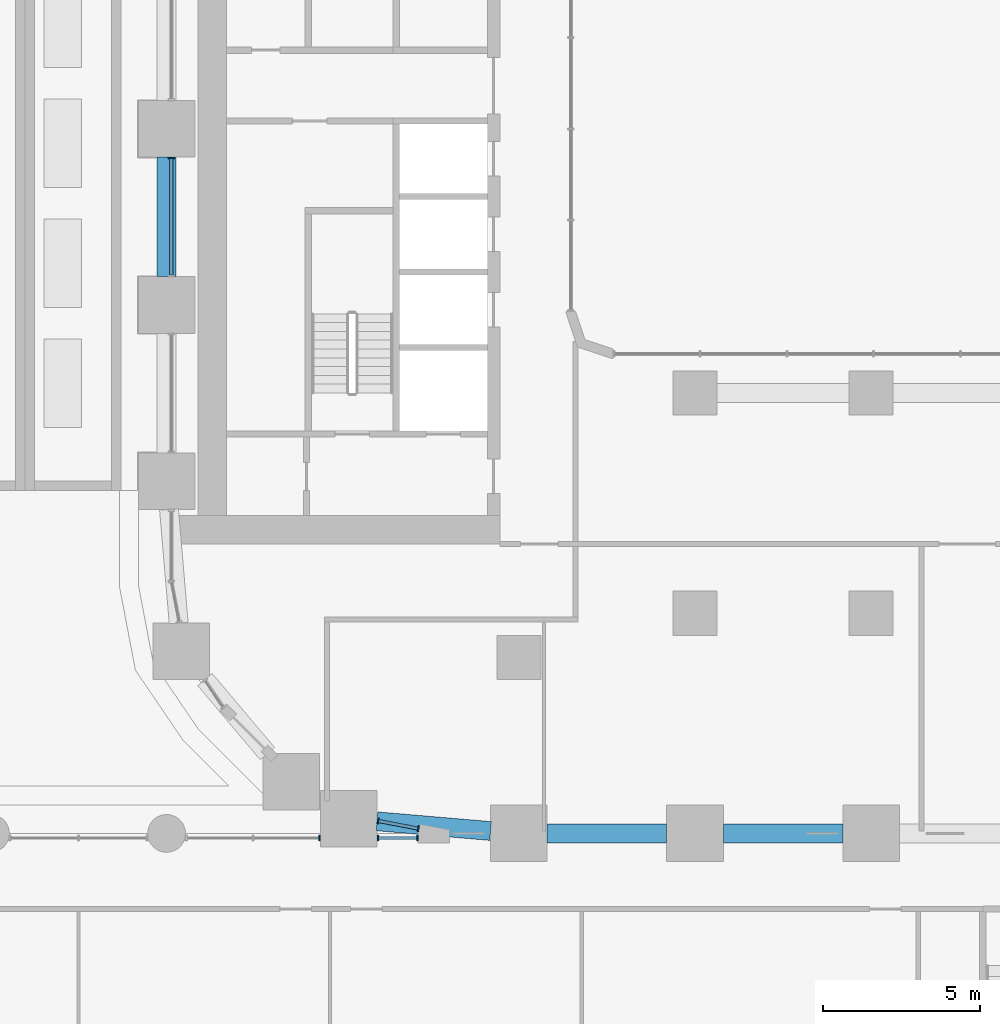
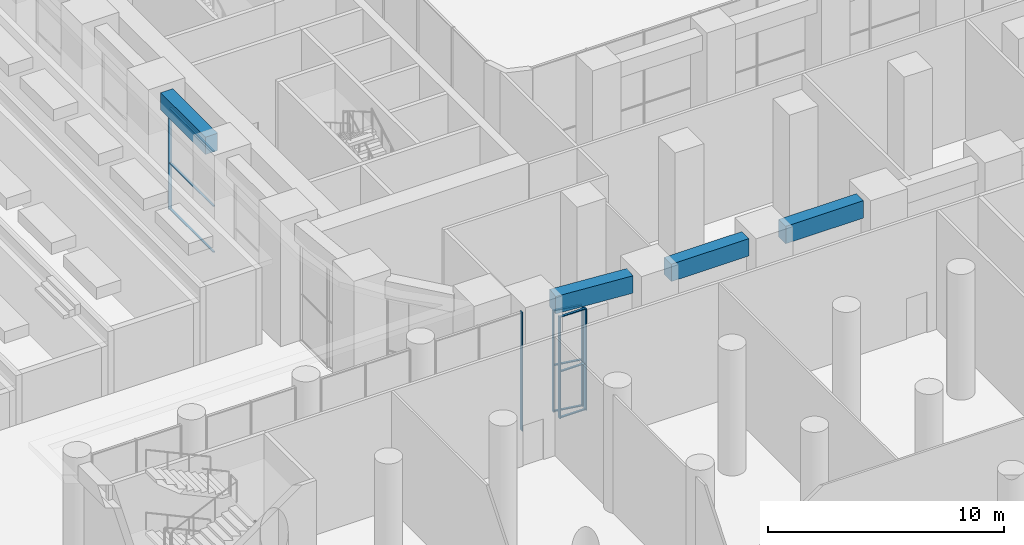
# One storey, part 10 of 51: 15 members, 4 beams, 4 elements without a shape of their own.
"""IFC4 building model written with IfcOpenShell, lengths in metres."""

from ifc_helpers import new_model, si_unit, direction, frame, origin, origin_2d, place, context, subcontext, project, spatial, rectangle, extrude, material, layer, layer_set, material_profile, profile_set, type_object, element, aggregate, save


model = new_model("IFC4")

# Units and contexts
model_context = context("Model", 3, precision=1e-05, world=origin(), true_north=direction((0.0, 1.0)))
body_context = subcontext(model_context, "Body", "Model", "MODEL_VIEW")
ifc_project = project(units=[si_unit("LENGTHUNIT", "METRE"), si_unit("AREAUNIT", "SQUARE_METRE"), si_unit("VOLUMEUNIT", "CUBIC_METRE"), si_unit("PLANEANGLEUNIT", "RADIAN"), si_unit("MASSUNIT", "GRAM", prefix="KILO")], contexts=[model_context])

# Site, building, storey
site_placement = place(None, origin())
site = spatial("IfcSite", under=ifc_project, at=site_placement, CompositionType="ELEMENT")
building_placement = place(site_placement, origin())
building = spatial("IfcBuilding", under=site, at=building_placement, Name="Kiln Ring Residences", CompositionType="ELEMENT")
storey_placement = place(building_placement, origin())
storey = spatial("IfcBuildingStorey", under=building, at=storey_placement, Name="L00", CompositionType="ELEMENT", Elevation=0.0)

# Curtain wall, member
ifc_material_1 = material(Name="Aluminium and glass", Category="aluminium")
ifc_layer = layer(ifc_material_1, 0.179931640625)
ifc_layer_set = layer_set([ifc_layer], Name="CW2 CURTAIN WALL")
curtain_wall_type = type_object("IfcCurtainWallType", Name="CW2 CURTAIN WALL", PredefinedType="NOTDEFINED", material=ifc_layer_set)
placement = place(storey_placement, origin())
curtain_wall_1 = element("IfcCurtainWall", 1, at=placement, inside=storey, type_object=curtain_wall_type, Name="Curtain wall CW2 L00", PredefinedType="NOTDEFINED")
ifc_material_2 = material(Name="Aluminium 6063-T6", Category="aluminium")
ifc_material_profile_1 = material_profile(ifc_material_2, rectangle(XDim=0.179931640625, YDim=0.050048828125, at=origin_2d()), Name="AL 180x50")
ifc_profile_set_1 = profile_set([ifc_material_profile_1], Name="Aluminium 6063-T6")
member_type_1 = type_object("IfcMemberType", Name="CW2 MULLION 180 x 50", PredefinedType="MULLION", material=ifc_profile_set_1)
member_1_placement = place(storey_placement, frame((-27.85009765625, -0.925048828125, 0.0), z_axis=(0.0, 0.0, 1.0), x_axis=(1.0, 0.0, 0.0)))
member_1 = element("IfcMember", 2, at=member_1_placement, type_object=member_type_1, Name="CW2 mullion 1", PredefinedType="MULLION", context=body_context, shape_type="SweptSolid", body=[
    extrude(rectangle(XDim=0.179931640625, YDim=0.050048828125, at=origin_2d()), origin(), (0.0, 0.0, 1.0), 5.25),
])

# Curtain wall, members
curtain_wall_2 = element("IfcCurtainWall", 3, at=placement, inside=storey, type_object=curtain_wall_type, Name="Curtain wall CW2 L00", PredefinedType="NOTDEFINED")
member_2_placement = place(storey_placement, frame((-21.279541015625, -22.003173828125, 0.0), z_axis=(0.0, 0.0, 1.0), x_axis=(0.187365550279, 0.9822902578, 0.0)))
member_2 = element("IfcMember", 4, at=member_2_placement, type_object=member_type_1, Name="CW2 mullion 1", PredefinedType="MULLION", context=body_context, shape_type="SweptSolid", body=[
    extrude(rectangle(XDim=0.179931640625, YDim=0.050048828125, at=origin_2d()), origin(), (0.0, 0.0, 1.0), 5.25),
])
member_3_placement = place(storey_placement, frame((-19.996337890625, -22.248046875, 0.0), z_axis=(0.0, 0.0, 1.0), x_axis=(0.187365550279, 0.9822902578, 0.0)))
member_3 = element("IfcMember", 5, at=member_3_placement, type_object=member_type_1, Name="CW2 mullion 2", PredefinedType="MULLION", context=body_context, shape_type="SweptSolid", body=[
    extrude(rectangle(XDim=0.179931640625, YDim=0.050048828125, at=origin_2d()), origin(), (0.0, 0.0, 1.0), 5.25),
])

curtain_wall_3 = element("IfcCurtainWall", 6, at=placement, inside=storey, type_object=curtain_wall_type, Name="Curtain wall CW2 L00", PredefinedType="NOTDEFINED")
member_4_placement = place(storey_placement, frame((-20.02490234375, -22.550048828125, 0.0), z_axis=(0.0, 0.0, 1.0), x_axis=(0.0, -1.0, 0.0)))
member_4 = element("IfcMember", 7, at=member_4_placement, type_object=member_type_1, Name="CW2 mullion 1", PredefinedType="MULLION", context=body_context, shape_type="SweptSolid", body=[
    extrude(rectangle(XDim=0.179931640625, YDim=0.050048828125, at=origin_2d()), origin(), (0.0, 0.0, 1.0), 5.25),
])
member_5_placement = place(storey_placement, frame((-21.28369140625, -22.550048828125, 0.0), z_axis=(0.0, 0.0, 1.0), x_axis=(0.0, -1.0, 0.0)))
member_5 = element("IfcMember", 8, at=member_5_placement, type_object=member_type_1, Name="CW2 mullion 2", PredefinedType="MULLION", context=body_context, shape_type="SweptSolid", body=[
    extrude(rectangle(XDim=0.179931640625, YDim=0.050048828125, at=origin_2d()), origin(), (0.0, 0.0, 1.0), 5.25),
])

# Curtain wall, member
curtain_wall_4 = element("IfcCurtainWall", 9, at=placement, inside=storey, type_object=curtain_wall_type, Name="Curtain wall CW2 L00", PredefinedType="NOTDEFINED")
member_6_placement = place(storey_placement, frame((-23.1337890625, -22.550048828125, 0.0), z_axis=(0.0, 0.0, 1.0), x_axis=(0.0, -1.0, 0.0)))
member_6 = element("IfcMember", 10, at=member_6_placement, type_object=member_type_1, Name="CW2 mullion 1", PredefinedType="MULLION", context=body_context, shape_type="SweptSolid", body=[
    extrude(rectangle(XDim=0.179931640625, YDim=0.050048828125, at=origin_2d()), origin(), (0.0, 0.0, 1.0), 6.14990234375),
])
aggregate(curtain_wall_4, [member_6])

# Member
ifc_material_3 = material(Name="Aluminium 6063-T6", Category="aluminium")
ifc_material_profile_2 = material_profile(ifc_material_3, rectangle(XDim=0.10009765625, YDim=0.050048828125, at=origin_2d()), Name="AL 100x50")
ifc_profile_set_2 = profile_set([ifc_material_profile_2], Name="Aluminium 6063-T6")
member_type_2 = type_object("IfcMemberType", Name="CW2 TRANSOM 100 x 50", PredefinedType="USERDEFINED", material=ifc_profile_set_2)
member_7_placement = place(storey_placement, frame((-27.85009765625, -0.949951171875, 0.02490234375), z_axis=(0.0, -1.0, 0.0), x_axis=(1.0, 0.0, 0.0)))
member_7 = element("IfcMember", 11, at=member_7_placement, type_object=member_type_2, Name="CW2 transom 1.1", ObjectType="TRANSOM", PredefinedType="USERDEFINED", context=body_context, shape_type="SweptSolid", body=[
    extrude(rectangle(XDim=0.10009765625, YDim=0.050048828125, at=origin_2d()), origin(), (0.0, 0.0, 1.0), 3.699951171875),
])

member_8_placement = place(storey_placement, frame((-27.85009765625, -0.949951171875, 2.39990234375), z_axis=(0.0, -1.0, 0.0), x_axis=(1.0, 0.0, 0.0)))
member_8 = element("IfcMember", 12, at=member_8_placement, type_object=member_type_2, Name="CW2 transom 1.2", ObjectType="TRANSOM", PredefinedType="USERDEFINED", context=body_context, shape_type="SweptSolid", body=[
    extrude(rectangle(XDim=0.10009765625, YDim=0.050048828125, at=origin_2d()), origin(), (0.0, 0.0, 1.0), 3.699951171875),
])

member_9_placement = place(storey_placement, frame((-27.85009765625, -0.949951171875, 5.22509765625), z_axis=(0.0, -1.0, 0.0), x_axis=(1.0, 0.0, 0.0)))
member_9 = element("IfcMember", 13, at=member_9_placement, type_object=member_type_2, Name="CW2 transom 1.3", ObjectType="TRANSOM", PredefinedType="USERDEFINED", context=body_context, shape_type="SweptSolid", body=[
    extrude(rectangle(XDim=0.10009765625, YDim=0.050048828125, at=origin_2d()), origin(), (0.0, 0.0, 1.0), 3.699951171875),
])

aggregate(curtain_wall_1, [member_1, member_7, member_8, member_9])

member_10_placement = place(storey_placement, frame((-21.2548828125, -22.0078125, 0.02490234375), z_axis=(0.982255114472, -0.18754970033, 0.0), x_axis=(0.18754970033, 0.982255114472, 0.0)))
member_10 = element("IfcMember", 14, at=member_10_placement, type_object=member_type_2, Name="CW2 transom 1.1", ObjectType="TRANSOM", PredefinedType="USERDEFINED", context=body_context, shape_type="SweptSolid", body=[
    extrude(rectangle(XDim=0.10009765625, YDim=0.050048828125, at=origin_2d()), origin(), (0.0, 0.0, 1.0), 1.256103515625),
])

member_11_placement = place(storey_placement, frame((-21.2548828125, -22.0078125, 2.39990234375), z_axis=(0.982255114472, -0.18754970033, 0.0), x_axis=(0.18754970033, 0.982255114472, 0.0)))
member_11 = element("IfcMember", 15, at=member_11_placement, type_object=member_type_2, Name="CW2 transom 1.2", ObjectType="TRANSOM", PredefinedType="USERDEFINED", context=body_context, shape_type="SweptSolid", body=[
    extrude(rectangle(XDim=0.10009765625, YDim=0.050048828125, at=origin_2d()), origin(), (0.0, 0.0, 1.0), 1.256103515625),
])

member_12_placement = place(storey_placement, frame((-21.2548828125, -22.0078125, 5.22509765625), z_axis=(0.982255114472, -0.18754970033, 0.0), x_axis=(0.18754970033, 0.982255114472, 0.0)))
member_12 = element("IfcMember", 16, at=member_12_placement, type_object=member_type_2, Name="CW2 transom 1.3", ObjectType="TRANSOM", PredefinedType="USERDEFINED", context=body_context, shape_type="SweptSolid", body=[
    extrude(rectangle(XDim=0.10009765625, YDim=0.050048828125, at=origin_2d()), origin(), (0.0, 0.0, 1.0), 1.256103515625),
])

aggregate(curtain_wall_2, [member_2, member_3, member_10, member_11, member_12])

member_13_placement = place(storey_placement, frame((-20.050048828125, -22.550048828125, 0.02490234375), z_axis=(-1.0, 0.0, 0.0), x_axis=(0.0, -1.0, 0.0)))
member_13 = element("IfcMember", 17, at=member_13_placement, type_object=member_type_2, Name="CW2 transom 1.1", ObjectType="TRANSOM", PredefinedType="USERDEFINED", context=body_context, shape_type="SweptSolid", body=[
    extrude(rectangle(XDim=0.10009765625, YDim=0.050048828125, at=origin_2d()), origin(), (0.0, 0.0, 1.0), 1.208740234375),
])

member_14_placement = place(storey_placement, frame((-20.050048828125, -22.550048828125, 2.39990234375), z_axis=(-1.0, 0.0, 0.0), x_axis=(0.0, -1.0, 0.0)))
member_14 = element("IfcMember", 18, at=member_14_placement, type_object=member_type_2, Name="CW2 transom 1.2", ObjectType="TRANSOM", PredefinedType="USERDEFINED", context=body_context, shape_type="SweptSolid", body=[
    extrude(rectangle(XDim=0.10009765625, YDim=0.050048828125, at=origin_2d()), origin(), (0.0, 0.0, 1.0), 1.208740234375),
])

member_15_placement = place(storey_placement, frame((-20.050048828125, -22.550048828125, 5.22509765625), z_axis=(-1.0, 0.0, 0.0), x_axis=(0.0, -1.0, 0.0)))
member_15 = element("IfcMember", 19, at=member_15_placement, type_object=member_type_2, Name="CW2 transom 1.3", ObjectType="TRANSOM", PredefinedType="USERDEFINED", context=body_context, shape_type="SweptSolid", body=[
    extrude(rectangle(XDim=0.10009765625, YDim=0.050048828125, at=origin_2d()), origin(), (0.0, 0.0, 1.0), 1.208740234375),
])

aggregate(curtain_wall_3, [member_4, member_5, member_13, member_14, member_15])

# Beams
ifc_material_4 = material(Name="Concrete C50/60", Category="concrete")
ifc_material_profile_3 = material_profile(ifc_material_4, rectangle(XDim=0.60009765625, YDim=0.89990234375, at=origin_2d()), Name="RC600x900")
ifc_profile_set_3 = profile_set([ifc_material_profile_3], Name="Concrete C50/60")
beam_type = type_object("IfcBeamType", Name="Spandrel beam RC600x900 C50/60", PredefinedType="SPANDREL", material=ifc_profile_set_3)
beam_1_placement = place(storey_placement, frame((-21.30859375, -22.014892578125, 5.699951171875), z_axis=(0.996369229372, -0.0851372936, 0.0), x_axis=(0.0851372936, 0.996369229372, 0.0)))
element("IfcBeam", 20, at=beam_1_placement, inside=storey, type_object=beam_type, Name="Spandrel beam L00 1", PredefinedType="SPANDREL", context=body_context, shape_type="SweptSolid", body=[
    extrude(rectangle(XDim=0.60009765625, YDim=0.89990234375, at=origin_2d()), origin(), (0.0, 0.0, 1.0), 3.621826171875),
])
beam_2_placement = place(storey_placement, frame((-15.89990234375, -22.39990234375, 5.699951171875), z_axis=(1.0, 0.0, 0.0), x_axis=(0.0, 1.0, 0.0)))
element("IfcBeam", 21, at=beam_2_placement, inside=storey, type_object=beam_type, Name="Spandrel beam L00 2", PredefinedType="SPANDREL", context=body_context, shape_type="SweptSolid", body=[
    extrude(rectangle(XDim=0.60009765625, YDim=0.89990234375, at=origin_2d()), origin(), (0.0, 0.0, 1.0), 3.7998046875),
])
for number, where, z_axis, x_axis, name in (
    (22, (-10.300048828125, -22.39990234375, 5.699951171875), (1.0, 0.0, 0.0), (0.0, 1.0, 0.0), "Spandrel beam L00 3"),
    (23, (-28.0, -0.89990234375, 5.699951171875), (0.0, -1.0, 0.0), (1.0, 0.0, 0.0), "Spandrel beam L00 29"),
):
    element("IfcBeam", number, at=place(storey_placement, frame(where, z_axis=z_axis, x_axis=x_axis)), inside=storey, type_object=beam_type, Name=name, PredefinedType="SPANDREL", context=body_context, shape_type="SweptSolid", body=[
        extrude(rectangle(XDim=0.60009765625, YDim=0.89990234375, at=origin_2d()), origin(), (0.0, 0.0, 1.0), 3.800048828125),
    ])

save(model, "model.ifc")
